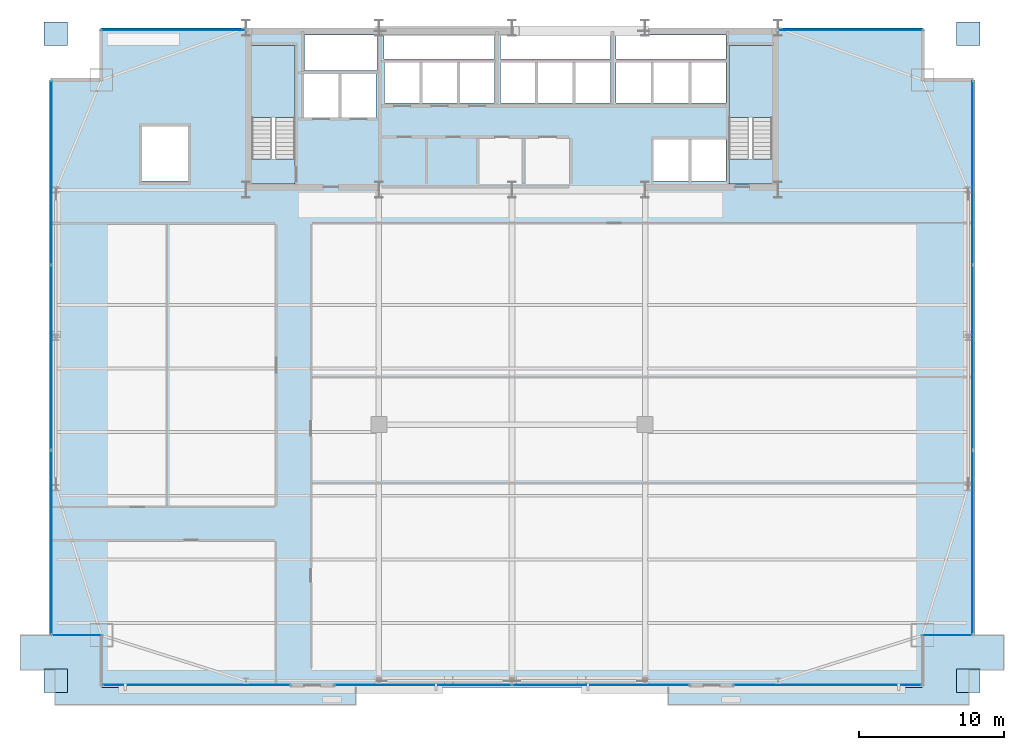
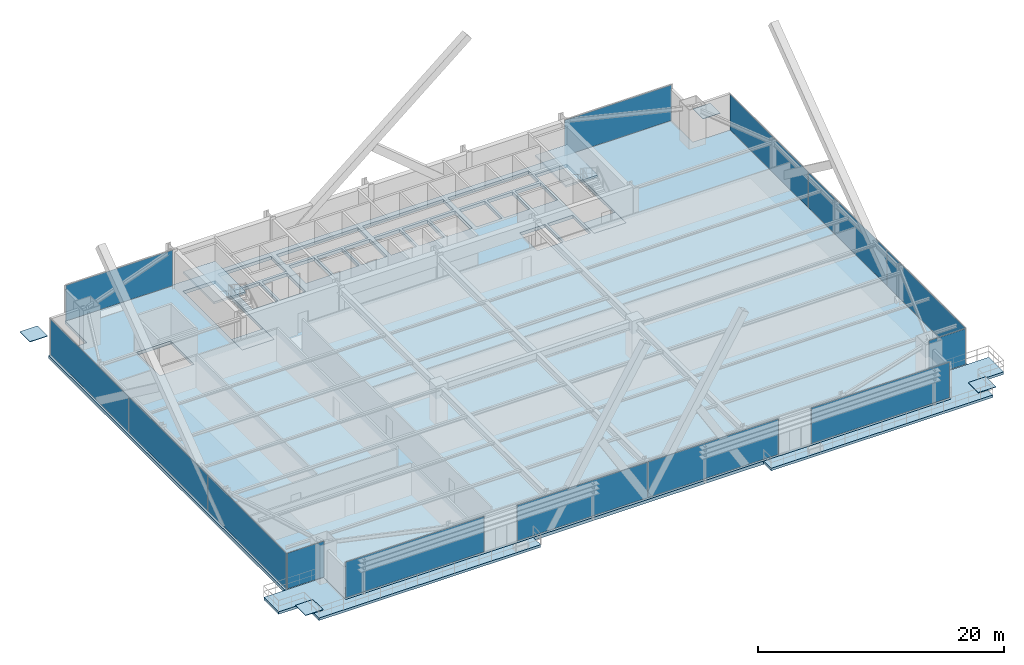
# One storey, part 26 of 34: 18 plates, 7 slabs, 11 elements without a shape of their own.
"""IFC4 building model written with IfcOpenShell, lengths in metres."""

from ifc_helpers import new_model, si_unit, direction, frame, origin, origin_2d, place, context, subcontext, project, spatial, polyline, rectangle, outline, extrude, source, transform, mapped, material, layer, layer_set, type_object, type_shapes, element, aggregate, save


model = new_model("IFC4")

# Units and contexts
model_context = context("Model", 3, precision=1e-05, world=origin(), true_north=direction((0.0, 1.0)))
body_context = subcontext(model_context, "Body", "Model", "MODEL_VIEW")
ifc_project = project(units=[si_unit("LENGTHUNIT", "METRE"), si_unit("AREAUNIT", "SQUARE_METRE"), si_unit("VOLUMEUNIT", "CUBIC_METRE"), si_unit("PLANEANGLEUNIT", "RADIAN"), si_unit("MASSUNIT", "GRAM", prefix="KILO")], contexts=[model_context])

# Site, building, storey
site_placement = place(None, origin())
site = spatial("IfcSite", under=ifc_project, at=site_placement, CompositionType="ELEMENT")
building_placement = place(site_placement, origin())
building = spatial("IfcBuilding", under=site, at=building_placement, Name="Varnel Quay Broadcast Tower", CompositionType="ELEMENT")
storey_placement = place(building_placement, frame((0.0, 0.0, 27.60009765625)))
storey = spatial("IfcBuildingStorey", under=building, at=storey_placement, Name="L05", CompositionType="ELEMENT", Elevation=27.60009765625)

# Slabs
ifc_material_1 = material(Name="Concrete CSA A23.3 C40/50", Category="concrete")
ifc_layer_1 = layer(ifc_material_1, 0.25, Name="Concrete CSA A23.3 C40/50")
ifc_layer_set_1 = layer_set([ifc_layer_1], Name="Concrete CSA A23.3 C40/50")
slab_type_1 = type_object("IfcSlabType", Name="Slab_ExtTerrace250", PredefinedType="FLOOR", material=ifc_layer_set_1)
slab_1_placement = place(storey_placement, frame((0.0, 0.0, -0.25)))
element("IfcSlab", 1, at=slab_1_placement, inside=storey, type_object=slab_type_1, Name="L05 Planted Lobe Terrace Slab 1", PredefinedType="FLOOR", context=body_context, shape_type="SweptSolid", body=[
    extrude(outline(polyline([(2.39990234375, 0.0), (23.199951171875, 0.0), (23.199951171875, 1.199951171875), (5.60009765625, 1.199951171875), (5.60009765625, 4.800048828125), (0.0, 4.800048828125), (0.0, 2.39990234375), (2.39990234375, 2.39990234375), (2.39990234375, 0.0)])), origin(), (0.0, 0.0, 1.0), 0.25),
])
slab_2_placement = place(storey_placement, frame((0.0, 0.0, -0.25)))
element("IfcSlab", 2, at=slab_2_placement, inside=storey, type_object=slab_type_1, Name="L05 Planted Lobe Terrace Slab 2", PredefinedType="FLOOR", context=body_context, shape_type="SweptSolid", body=[
    extrude(outline(polyline([(44.800048828125, 0.0), (65.60009765625, 0.0), (65.60009765625, 2.39990234375), (68.0, 2.39990234375), (68.0, 4.800048828125), (62.39990234375, 4.800048828125), (62.39990234375, 1.199951171875), (44.800048828125, 1.199951171875), (44.800048828125, 0.0)])), origin(), (0.0, 0.0, 1.0), 0.25),
])
ifc_material_2 = material(Name="Concrete CSA A23.3 C50/60", Category="concrete")
ifc_layer_2 = layer(ifc_material_2, 0.320068359375, Name="Concrete CSA A23.3 C50/60")
ifc_layer_set_2 = layer_set([ifc_layer_2], Name="Concrete CSA A23.3 C50/60")
slab_type_2 = type_object("IfcSlabType", Name="Slab_Floor320", PredefinedType="FLOOR", material=ifc_layer_set_2)
slab_3_placement = place(storey_placement, frame((0.0, 0.0, -0.320068359375)))
element("IfcSlab", 3, at=slab_3_placement, inside=storey, type_object=slab_type_2, Name="L05 Structural Slab", PredefinedType="FLOOR", context=body_context, shape_type="SweptSolid", body=[
    extrude(outline(polyline([(5.60009765625, 1.199951171875), (62.39990234375, 1.199951171875), (62.39990234375, 4.800048828125), (66.0, 4.800048828125), (66.0, 43.199951171875), (62.39990234375, 43.199951171875), (62.39990234375, 46.800048828125), (5.60009765625, 46.800048828125), (5.60009765625, 43.199951171875), (2.0, 43.199951171875), (2.0, 4.800048828125), (5.60009765625, 4.800048828125), (5.60009765625, 1.199951171875)]), holes=[polyline([(8.39990234375, 40.0), (11.60009765625, 40.0), (11.60009765625, 36.199951171875), (8.39990234375, 36.199951171875), (8.39990234375, 40.0)]), polyline([(16.0, 36.0), (16.0, 45.60009765625), (19.0, 45.60009765625), (19.0, 36.0), (16.0, 36.0)]), polyline([(19.60009765625, 43.60009765625), (22.0, 43.60009765625), (22.0, 40.60009765625), (19.60009765625, 40.60009765625), (19.60009765625, 43.60009765625)]), polyline([(24.60009765625, 43.60009765625), (24.60009765625, 40.60009765625), (22.199951171875, 40.60009765625), (22.199951171875, 43.60009765625), (24.60009765625, 43.60009765625)]), polyline([(27.60009765625, 44.39990234375), (27.60009765625, 41.60009765625), (25.199951171875, 41.60009765625), (25.199951171875, 44.39990234375), (27.60009765625, 44.39990234375)]), polyline([(27.800048828125, 44.39990234375), (30.199951171875, 44.39990234375), (30.199951171875, 41.60009765625), (27.800048828125, 41.60009765625), (27.800048828125, 44.39990234375)]), polyline([(30.39990234375, 44.39990234375), (32.800048828125, 44.39990234375), (32.800048828125, 41.60009765625), (30.39990234375, 41.60009765625), (30.39990234375, 44.39990234375)]), polyline([(33.199951171875, 44.39990234375), (35.60009765625, 44.39990234375), (35.60009765625, 41.60009765625), (33.199951171875, 41.60009765625), (33.199951171875, 44.39990234375)]), polyline([(24.679931640625, 46.300048828125), (24.679931640625, 43.85009765625), (19.64990234375, 43.85009765625), (19.64990234375, 46.300048828125), (24.679931640625, 46.300048828125)]), polyline([(32.800048828125, 46.300048828125), (32.800048828125, 44.64990234375), (25.14990234375, 44.64990234375), (25.14990234375, 46.300048828125), (32.800048828125, 46.300048828125)]), polyline([(43.800048828125, 39.10009765625), (46.199951171875, 39.10009765625), (46.199951171875, 36.199951171875), (43.800048828125, 36.199951171875), (43.800048828125, 39.10009765625)]), polyline([(46.39990234375, 39.10009765625), (48.800048828125, 39.10009765625), (48.800048828125, 36.199951171875), (46.39990234375, 36.199951171875), (46.39990234375, 39.10009765625)]), polyline([(49.0, 36.0), (49.0, 45.60009765625), (52.0, 45.60009765625), (52.0, 36.0), (49.0, 36.0)]), polyline([(38.199951171875, 44.39990234375), (38.199951171875, 41.60009765625), (35.800048828125, 41.60009765625), (35.800048828125, 44.39990234375), (38.199951171875, 44.39990234375)]), polyline([(40.800048828125, 44.39990234375), (40.800048828125, 41.60009765625), (38.39990234375, 41.60009765625), (38.39990234375, 44.39990234375), (40.800048828125, 44.39990234375)]), polyline([(41.199951171875, 44.39990234375), (43.60009765625, 44.39990234375), (43.60009765625, 41.60009765625), (41.199951171875, 41.60009765625), (41.199951171875, 44.39990234375)]), polyline([(43.800048828125, 44.39990234375), (46.199951171875, 44.39990234375), (46.199951171875, 41.60009765625), (43.800048828125, 41.60009765625), (43.800048828125, 44.39990234375)]), polyline([(46.39990234375, 44.39990234375), (48.800048828125, 44.39990234375), (48.800048828125, 41.60009765625), (46.39990234375, 41.60009765625), (46.39990234375, 44.39990234375)]), polyline([(40.800048828125, 46.300048828125), (40.800048828125, 44.64990234375), (33.199951171875, 44.64990234375), (33.199951171875, 46.300048828125), (40.800048828125, 46.300048828125)]), polyline([(48.800048828125, 46.300048828125), (48.800048828125, 44.64990234375), (41.199951171875, 44.64990234375), (41.199951171875, 46.300048828125), (48.800048828125, 46.300048828125)])]), origin(), (0.0, 0.0, 1.0), 0.320068359375),
])
ifc_layer_3 = layer(ifc_material_2, 0.25, Name="Concrete CSA A23.3 C50/60")
ifc_layer_set_3 = layer_set([ifc_layer_3], Name="Concrete CSA A23.3 C50/60")
slab_type_3 = type_object("IfcSlabType", Name="Slab_StairFloorLanding250", PredefinedType="FLOOR", material=ifc_layer_set_3)
slab_4_placement = place(storey_placement, frame((0.0, 0.0, -0.320068359375)))
element("IfcSlab", 4, at=slab_4_placement, inside=storey, type_object=slab_type_3, Name="L05 ST-01 Structural Floor Landing Slab", PredefinedType="FLOOR", context=body_context, shape_type="SweptSolid", body=[
    extrude(outline(polyline([(19.0, 36.0), (19.0, 37.75), (16.0, 37.75), (16.0, 36.0), (19.0, 36.0)])), origin(), (0.0, 0.0, 1.0), 0.320068359375),
])
slab_5_placement = place(storey_placement, frame((0.0, 0.0, -0.320068359375)))
element("IfcSlab", 5, at=slab_5_placement, inside=storey, type_object=slab_type_3, Name="L05 ST-02 Structural Floor Landing Slab", PredefinedType="FLOOR", context=body_context, shape_type="SweptSolid", body=[
    extrude(outline(polyline([(52.0, 36.0), (52.0, 37.75), (49.0, 37.75), (49.0, 36.0), (52.0, 36.0)])), origin(), (0.0, 0.0, 1.0), 0.320068359375),
])

# Stair, slab
ifc_material_3 = material(Name="Precast Structural Concrete C40/50", Category="concrete")
stair_type_1 = type_object("IfcStairType", Name="Stair_ST-01", PredefinedType="HALF_TURN_STAIR", material=ifc_material_3)
stair_1_placement = place(storey_placement, origin())
stair_1 = element("IfcStair", 6, at=stair_1_placement, inside=storey, type_object=stair_type_1, Name="L05 West Core Exit Stair 1", PredefinedType="HALF_TURN_STAIR")
ifc_layer_4 = layer(ifc_material_3, 0.199951171875, Name="Precast Structural Concrete C40/50")
ifc_layer_set_4 = layer_set([ifc_layer_4], Name="Precast Structural Concrete C40/50")
slab_type_4 = type_object("IfcSlabType", Name="Slab_StairLanding200", PredefinedType="LANDING", material=ifc_layer_set_4)
slab_6_placement = place(storey_placement, frame((0.0, 0.0, 1.75)))
slab_6 = element("IfcSlab", 7, at=slab_6_placement, type_object=slab_type_4, Name="ST-01 landing 1", PredefinedType="LANDING", context=body_context, shape_type="SweptSolid", body=[
    extrude(outline(polyline([(19.0, 40.60009765625), (19.0, 45.60009765625), (16.0, 45.60009765625), (16.0, 40.60009765625), (19.0, 40.60009765625)])), origin(), (0.0, 0.0, 1.0), 0.199951171875),
])
aggregate(stair_1, [slab_6])

stair_type_2 = type_object("IfcStairType", Name="Stair_ST-02", PredefinedType="HALF_TURN_STAIR", material=ifc_material_3)
stair_2_placement = place(storey_placement, origin())
stair_2 = element("IfcStair", 8, at=stair_2_placement, inside=storey, type_object=stair_type_2, Name="L05 East Core Exit Stair 2", PredefinedType="HALF_TURN_STAIR")
slab_7_placement = place(storey_placement, frame((0.0, 0.0, 1.75)))
slab_7 = element("IfcSlab", 9, at=slab_7_placement, type_object=slab_type_4, Name="ST-02 landing 1", PredefinedType="LANDING", context=body_context, shape_type="SweptSolid", body=[
    extrude(outline(polyline([(52.0, 40.60009765625), (52.0, 45.60009765625), (49.0, 45.60009765625), (49.0, 40.60009765625), (52.0, 40.60009765625)])), origin(), (0.0, 0.0, 1.0), 0.199951171875),
])
aggregate(stair_2, [slab_7])

# Plates
ifc_material_4 = material(Name="Structural Steel CSA G40.21 350WT", Category="steel")
ifc_layer_5 = layer(ifc_material_4, 0.050048828125, Name="Structural Steel CSA G40.21 350WT")
ifc_layer_set_5 = layer_set([ifc_layer_5], Name="Structural Steel CSA G40.21 350WT")
plate_type_1 = type_object("IfcPlateType", Name="Plate_BasePlate", PredefinedType="SHEET", material=ifc_layer_set_5)
shared_shape_1 = source(origin(), body_context, "Body", "SweptSolid", [
    extrude(rectangle(XDim=1.639892578125, YDim=1.639892578125, at=origin_2d()), origin(), (0.0, 0.0, 1.0), 0.050048828125),
])
type_shapes(plate_type_1, [shared_shape_1])
for number, where, z_axis, x_axis, name in (
    (10, (2.449951171875, 1.64990234375, -0.0048828125), (0.0, 0.0, 1.0), (1.0, 0.0, 0.0), "L04 Hollow Column Top Cap Plate MC-SW"),
    (11, (65.550048828125, 1.64990234375, -0.0048828125), (0.0, 0.0, 1.0), (1.0, 0.0, 0.0), "L04 Hollow Column Top Cap Plate MC-SE"),
    (12, (65.550048828125, 46.39990234375, -0.0048828125), (0.0, 0.0, 1.0), (1.0, 0.0, 0.0), "L04 Hollow Column Top Cap Plate MC-NE"),
    (13, (2.449951171875, 46.39990234375, -0.0048828125), (0.0, 0.0, 1.0), (1.0, 0.0, 0.0), "L04 Hollow Column Top Cap Plate MC-NW"),
):
    element("IfcPlate", number, at=place(storey_placement, frame(where, z_axis=z_axis, x_axis=x_axis)), inside=storey, type_object=plate_type_1, Name=name, PredefinedType="SHEET", context=body_context, shape_type="MappedRepresentation", body=[
        mapped(shared_shape_1, transform((0.0, 0.0, 0.0), x_axis=(1.0, 0.0, 0.0), y_axis=(0.0, 1.0, 0.0), z_axis=(0.0, 0.0, 1.0), scale=1.0)),
    ])

# Curtain wall, plate
ifc_material_5 = material(Name="Anodised Bronze Aluminium 6063-T6", Category="aluminium")
ifc_layer_6 = layer(ifc_material_5, 0.18994140625, Name="Anodised Bronze Aluminium 6063-T6")
ifc_layer_set_6 = layer_set([ifc_layer_6], Name="Anodised Bronze Aluminium 6063-T6")
curtain_wall_type_1 = type_object("IfcCurtainWallType", Name="CW_LowerTower", PredefinedType="NOTDEFINED", material=ifc_layer_set_6)
curtain_wall_1_placement = place(storey_placement, origin())
curtain_wall_1 = element("IfcCurtainWall", 14, at=curtain_wall_1_placement, inside=storey, type_object=curtain_wall_type_1, Name="L05 South Unitised Curtain Wall 1", PredefinedType="NOTDEFINED")
ifc_material_6 = material(Name="Triple-Glazed Bronze Low-E Architectural Glass", Category="glass")
ifc_layer_7 = layer(ifc_material_6, 0.031982421875, Name="Triple-Glazed Bronze Low-E Architectural Glass")
ifc_layer_set_7 = layer_set([ifc_layer_7], Name="Triple-Glazed Bronze Low-E Architectural Glass")
plate_type_2 = type_object("IfcPlateType", Name="Panel_CWS-02", PredefinedType="CURTAIN_PANEL", material=ifc_layer_set_7)
shared_shape_2 = source(origin(), body_context, "Body", "SweptSolid", [
    extrude(rectangle(XDim=12.97998046875, YDim=0.031982421875, at=origin_2d()), origin(), (0.0, 0.0, 1.0), 3.530029296875),
])
plate_1_placement = place(storey_placement, frame((12.159912109375, 1.35009765625, 0.06005859375), z_axis=(0.0, 0.0, 1.0), x_axis=(1.0, 0.0, 0.0)))
plate_1 = element("IfcPlate", 15, at=plate_1_placement, type_object=plate_type_2, Name="CWS-02 panel 1.1", PredefinedType="CURTAIN_PANEL", context=body_context, shape_type="MappedRepresentation", body=[
    mapped(shared_shape_2, transform((0.0, 0.0, 0.0), x_axis=(1.0, 0.0, 0.0), y_axis=(0.0, 1.0, 0.0), z_axis=(0.0, 0.0, 1.0), scale=1.0)),
])
aggregate(curtain_wall_1, [plate_1])

curtain_wall_2_placement = place(storey_placement, origin())
curtain_wall_2 = element("IfcCurtainWall", 16, at=curtain_wall_2_placement, inside=storey, type_object=curtain_wall_type_1, Name="L05 South Unitised Curtain Wall 3", PredefinedType="NOTDEFINED")
plate_2_placement = place(storey_placement, frame((55.840087890625, 1.35009765625, 0.06005859375), z_axis=(0.0, 0.0, 1.0), x_axis=(1.0, 0.0, 0.0)))
plate_2 = element("IfcPlate", 17, at=plate_2_placement, type_object=plate_type_2, Name="CWS-02 panel 1.1", PredefinedType="CURTAIN_PANEL", context=body_context, shape_type="MappedRepresentation", body=[
    mapped(shared_shape_2, transform((0.0, 0.0, 0.0), x_axis=(1.0, 0.0, 0.0), y_axis=(0.0, 1.0, 0.0), z_axis=(0.0, 0.0, 1.0), scale=1.0)),
])
aggregate(curtain_wall_2, [plate_2])

# Curtain wall, plates
curtain_wall_3_placement = place(storey_placement, origin())
curtain_wall_3 = element("IfcCurtainWall", 18, at=curtain_wall_3_placement, inside=storey, type_object=curtain_wall_type_1, Name="L05 South Unitised Curtain Wall 2", PredefinedType="NOTDEFINED")
ifc_material_7 = material(Name="Insulated Bronze Spandrel Glass", Category="glass")
ifc_layer_8 = layer(ifc_material_7, 0.031982421875, Name="Insulated Bronze Spandrel Glass")
ifc_layer_set_8 = layer_set([ifc_layer_8], Name="Insulated Bronze Spandrel Glass")
plate_type_3 = type_object("IfcPlateType", Name="PanelSp_CWS-02", PredefinedType="CURTAIN_PANEL", material=ifc_layer_set_8)
shared_shape_3 = source(origin(), body_context, "Body", "SweptSolid", [
    extrude(rectangle(XDim=12.215087890625, YDim=0.031982421875, at=origin_2d()), origin(), (0.0, 0.0, 1.0), 3.530029296875),
])
plate_3_placement = place(storey_placement, frame((27.857421875, 1.35009765625, 0.06005859375), z_axis=(0.0, 0.0, 1.0), x_axis=(1.0, 0.0, 0.0)))
plate_3 = element("IfcPlate", 19, at=plate_3_placement, type_object=plate_type_3, Name="CWS-02 panel 1.1", PredefinedType="CURTAIN_PANEL", context=body_context, shape_type="MappedRepresentation", body=[
    mapped(shared_shape_3, transform((0.0, 0.0, 0.0), x_axis=(1.0, 0.0, 0.0), y_axis=(0.0, 1.0, 0.0), z_axis=(0.0, 0.0, 1.0), scale=1.0)),
])
plate_4_placement = place(storey_placement, frame((40.142578125, 1.35009765625, 0.06005859375), z_axis=(0.0, 0.0, 1.0), x_axis=(1.0, 0.0, 0.0)))
plate_4 = element("IfcPlate", 20, at=plate_4_placement, type_object=plate_type_3, Name="CWS-02 panel 2.1", PredefinedType="CURTAIN_PANEL", context=body_context, shape_type="MappedRepresentation", body=[
    mapped(shared_shape_3, transform((0.0, 0.0, 0.0), x_axis=(1.0, 0.0, 0.0), y_axis=(0.0, 1.0, 0.0), z_axis=(0.0, 0.0, 1.0), scale=1.0)),
])
aggregate(curtain_wall_3, [plate_3, plate_4])

curtain_wall_4_placement = place(storey_placement, origin())
curtain_wall_4 = element("IfcCurtainWall", 21, at=curtain_wall_4_placement, inside=storey, type_object=curtain_wall_type_1, Name="L05 West Unitised Curtain Wall", PredefinedType="NOTDEFINED")
shared_shape_4 = source(origin(), body_context, "Body", "SweptSolid", [
    extrude(rectangle(XDim=12.695068359375, YDim=0.031982421875, at=origin_2d()), origin(), (0.0, 0.0, 1.0), 3.530029296875),
])
plate_5_placement = place(storey_placement, frame((2.14990234375, 11.217529296875, 0.06005859375), z_axis=(0.0, 0.0, 1.0), x_axis=(0.0, 1.0, 0.0)))
plate_5 = element("IfcPlate", 22, at=plate_5_placement, type_object=plate_type_3, Name="CWS-02 panel 1.1", PredefinedType="CURTAIN_PANEL", context=body_context, shape_type="MappedRepresentation", body=[
    mapped(shared_shape_4, transform((0.0, 0.0, 0.0), x_axis=(1.0, 0.0, 0.0), y_axis=(0.0, 1.0, 0.0), z_axis=(0.0, 0.0, 1.0), scale=1.0)),
])
plate_6_placement = place(storey_placement, frame((2.14990234375, 36.782470703125, 0.06005859375), z_axis=(0.0, 0.0, 1.0), x_axis=(0.0, 1.0, 0.0)))
plate_6 = element("IfcPlate", 23, at=plate_6_placement, type_object=plate_type_3, Name="CWS-02 panel 3.1", PredefinedType="CURTAIN_PANEL", context=body_context, shape_type="MappedRepresentation", body=[
    mapped(shared_shape_4, transform((0.0, 0.0, 0.0), x_axis=(1.0, 0.0, 0.0), y_axis=(0.0, 1.0, 0.0), z_axis=(0.0, 0.0, 1.0), scale=1.0)),
])

curtain_wall_5_placement = place(storey_placement, origin())
curtain_wall_5 = element("IfcCurtainWall", 24, at=curtain_wall_5_placement, inside=storey, type_object=curtain_wall_type_1, Name="L05 East Unitised Curtain Wall", PredefinedType="NOTDEFINED")
plate_7_placement = place(storey_placement, frame((65.85009765625, 11.217529296875, 0.06005859375), z_axis=(0.0, 0.0, 1.0), x_axis=(0.0, 1.0, 0.0)))
plate_7 = element("IfcPlate", 25, at=plate_7_placement, type_object=plate_type_3, Name="CWS-02 panel 1.1", PredefinedType="CURTAIN_PANEL", context=body_context, shape_type="MappedRepresentation", body=[
    mapped(shared_shape_4, transform((0.0, 0.0, 0.0), x_axis=(1.0, 0.0, 0.0), y_axis=(0.0, 1.0, 0.0), z_axis=(0.0, 0.0, 1.0), scale=1.0)),
])
plate_8_placement = place(storey_placement, frame((65.85009765625, 36.782470703125, 0.06005859375), z_axis=(0.0, 0.0, 1.0), x_axis=(0.0, 1.0, 0.0)))
plate_8 = element("IfcPlate", 26, at=plate_8_placement, type_object=plate_type_3, Name="CWS-02 panel 3.1", PredefinedType="CURTAIN_PANEL", context=body_context, shape_type="MappedRepresentation", body=[
    mapped(shared_shape_4, transform((0.0, 0.0, 0.0), x_axis=(1.0, 0.0, 0.0), y_axis=(0.0, 1.0, 0.0), z_axis=(0.0, 0.0, 1.0), scale=1.0)),
])

# Plate
shared_shape_5 = source(origin(), body_context, "Body", "SweptSolid", [
    extrude(rectangle(XDim=12.72998046875, YDim=0.031982421875, at=origin_2d()), origin(), (0.0, 0.0, 1.0), 3.530029296875),
])
type_shapes(plate_type_3, [shared_shape_3, shared_shape_4, shared_shape_5])
plate_9_placement = place(storey_placement, frame((2.14990234375, 24.0, 0.06005859375), z_axis=(0.0, 0.0, 1.0), x_axis=(0.0, 1.0, 0.0)))
plate_9 = element("IfcPlate", 27, at=plate_9_placement, type_object=plate_type_3, Name="CWS-02 panel 2.1", PredefinedType="CURTAIN_PANEL", context=body_context, shape_type="MappedRepresentation", body=[
    mapped(shared_shape_5, transform((0.0, 0.0, 0.0), x_axis=(1.0, 0.0, 0.0), y_axis=(0.0, 1.0, 0.0), z_axis=(0.0, 0.0, 1.0), scale=1.0)),
])

aggregate(curtain_wall_4, [plate_5, plate_9, plate_6])

plate_10_placement = place(storey_placement, frame((65.85009765625, 24.0, 0.06005859375), z_axis=(0.0, 0.0, 1.0), x_axis=(0.0, 1.0, 0.0)))
plate_10 = element("IfcPlate", 28, at=plate_10_placement, type_object=plate_type_3, Name="CWS-02 panel 2.1", PredefinedType="CURTAIN_PANEL", context=body_context, shape_type="MappedRepresentation", body=[
    mapped(shared_shape_5, transform((0.0, 0.0, 0.0), x_axis=(1.0, 0.0, 0.0), y_axis=(0.0, 1.0, 0.0), z_axis=(0.0, 0.0, 1.0), scale=1.0)),
])

aggregate(curtain_wall_5, [plate_7, plate_10, plate_8])

# Curtain wall, plate
ifc_layer_9 = layer(ifc_material_5, 0.18994140625, Name="Anodised Bronze Aluminium 6063-T6")
ifc_layer_set_9 = layer_set([ifc_layer_9], Name="Anodised Bronze Aluminium 6063-T6")
curtain_wall_type_2 = type_object("IfcCurtainWallType", Name="CW_NotchCorner", PredefinedType="NOTDEFINED", material=ifc_layer_set_9)
curtain_wall_6_placement = place(storey_placement, origin())
curtain_wall_6 = element("IfcCurtainWall", 29, at=curtain_wall_6_placement, inside=storey, type_object=curtain_wall_type_2, Name="L05 SW Notch Curtain Wall", PredefinedType="NOTDEFINED")
ifc_layer_10 = layer(ifc_material_6, 0.028076171875, Name="Triple-Glazed Bronze Low-E Architectural Glass")
ifc_layer_set_10 = layer_set([ifc_layer_10], Name="Triple-Glazed Bronze Low-E Architectural Glass")
plate_type_4 = type_object("IfcPlateType", Name="Panel_CWS-04", PredefinedType="CURTAIN_PANEL", material=ifc_layer_set_10)
shared_shape_6 = source(origin(), body_context, "Body", "SweptSolid", [
    extrude(rectangle(XDim=3.409912109375, YDim=0.028076171875, at=origin_2d()), origin(), (0.0, 0.0, 1.0), 3.5400390625),
])
type_shapes(plate_type_4, [shared_shape_6])
plate_11_placement = place(storey_placement, frame((3.9150390625, 4.800048828125, 0.054931640625), z_axis=(0.0, 0.0, 1.0), x_axis=(1.0, 0.0, 0.0)))
plate_11 = element("IfcPlate", 30, at=plate_11_placement, type_object=plate_type_4, Name="CWS-04 panel 1.1", PredefinedType="CURTAIN_PANEL", context=body_context, shape_type="MappedRepresentation", body=[
    mapped(shared_shape_6, transform((0.0, 0.0, 0.0), x_axis=(1.0, 0.0, 0.0), y_axis=(0.0, 1.0, 0.0), z_axis=(0.0, 0.0, 1.0), scale=1.0)),
])
aggregate(curtain_wall_6, [plate_11])

curtain_wall_7_placement = place(storey_placement, origin())
curtain_wall_7 = element("IfcCurtainWall", 31, at=curtain_wall_7_placement, inside=storey, type_object=curtain_wall_type_2, Name="L05 SE Notch Curtain Wall", PredefinedType="NOTDEFINED")
plate_12_placement = place(storey_placement, frame((64.0849609375, 4.800048828125, 0.054931640625), z_axis=(0.0, 0.0, 1.0), x_axis=(1.0, 0.0, 0.0)))
plate_12 = element("IfcPlate", 32, at=plate_12_placement, type_object=plate_type_4, Name="CWS-04 panel 1.1", PredefinedType="CURTAIN_PANEL", context=body_context, shape_type="MappedRepresentation", body=[
    mapped(shared_shape_6, transform((0.0, 0.0, 0.0), x_axis=(1.0, 0.0, 0.0), y_axis=(0.0, 1.0, 0.0), z_axis=(0.0, 0.0, 1.0), scale=1.0)),
])
aggregate(curtain_wall_7, [plate_12])

curtain_wall_8_placement = place(storey_placement, origin())
curtain_wall_8 = element("IfcCurtainWall", 33, at=curtain_wall_8_placement, inside=storey, type_object=curtain_wall_type_1, Name="L05 NW Wing Curtain Wall", PredefinedType="NOTDEFINED")
shared_shape_7 = source(origin(), body_context, "Body", "SweptSolid", [
    extrude(rectangle(XDim=10.0400390625, YDim=0.031982421875, at=origin_2d()), origin(), (0.0, 0.0, 1.0), 3.530029296875),
])
type_shapes(plate_type_2, [shared_shape_2, shared_shape_7])
plate_13_placement = place(storey_placement, frame((10.610107421875, 46.64990234375, 0.06005859375), z_axis=(0.0, 0.0, 1.0), x_axis=(1.0, 0.0, 0.0)))
plate_13 = element("IfcPlate", 34, at=plate_13_placement, type_object=plate_type_2, Name="CWS-02 panel 1.1", PredefinedType="CURTAIN_PANEL", context=body_context, shape_type="MappedRepresentation", body=[
    mapped(shared_shape_7, transform((0.0, 0.0, 0.0), x_axis=(1.0, 0.0, 0.0), y_axis=(0.0, 1.0, 0.0), z_axis=(0.0, 0.0, 1.0), scale=1.0)),
])
aggregate(curtain_wall_8, [plate_13])

curtain_wall_9_placement = place(storey_placement, origin())
curtain_wall_9 = element("IfcCurtainWall", 35, at=curtain_wall_9_placement, inside=storey, type_object=curtain_wall_type_1, Name="L05 NE Wing Curtain Wall", PredefinedType="NOTDEFINED")
plate_14_placement = place(storey_placement, frame((57.389892578125, 46.64990234375, 0.06005859375), z_axis=(0.0, 0.0, 1.0), x_axis=(1.0, 0.0, 0.0)))
plate_14 = element("IfcPlate", 36, at=plate_14_placement, type_object=plate_type_2, Name="CWS-02 panel 1.1", PredefinedType="CURTAIN_PANEL", context=body_context, shape_type="MappedRepresentation", body=[
    mapped(shared_shape_7, transform((0.0, 0.0, 0.0), x_axis=(1.0, 0.0, 0.0), y_axis=(0.0, 1.0, 0.0), z_axis=(0.0, 0.0, 1.0), scale=1.0)),
])
aggregate(curtain_wall_9, [plate_14])

save(model, "model.ifc")
